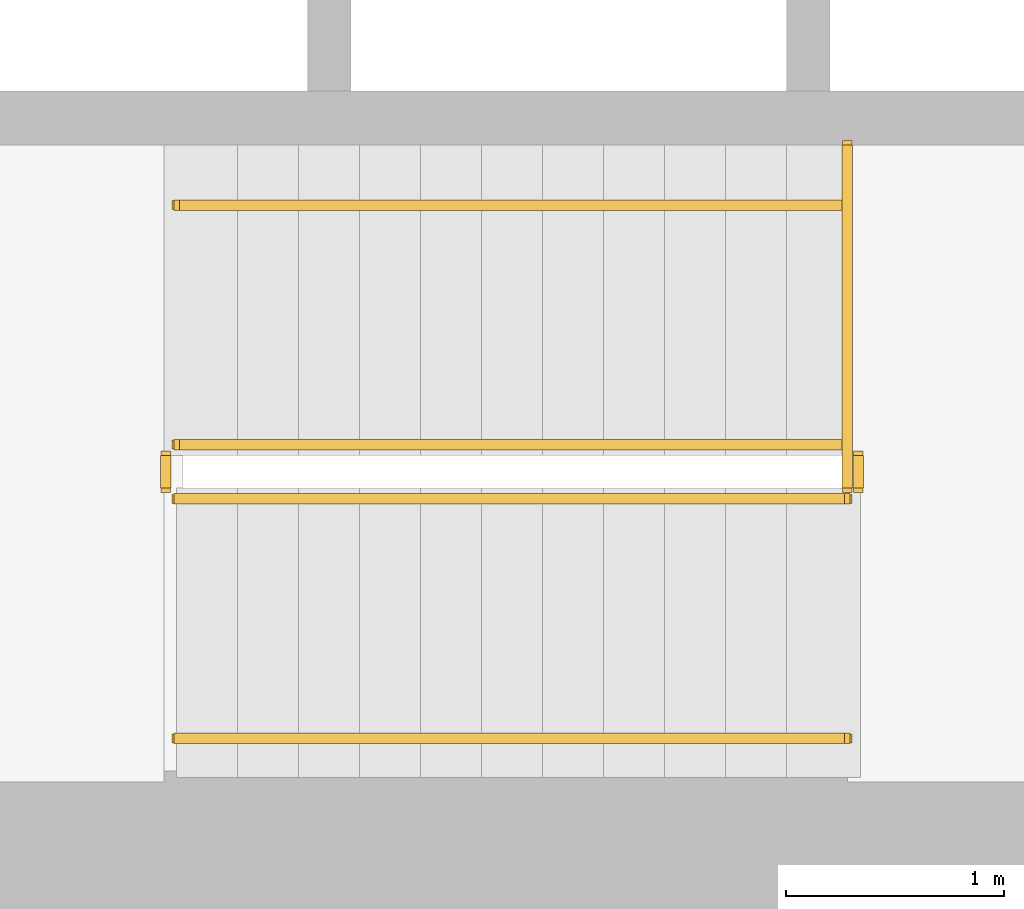
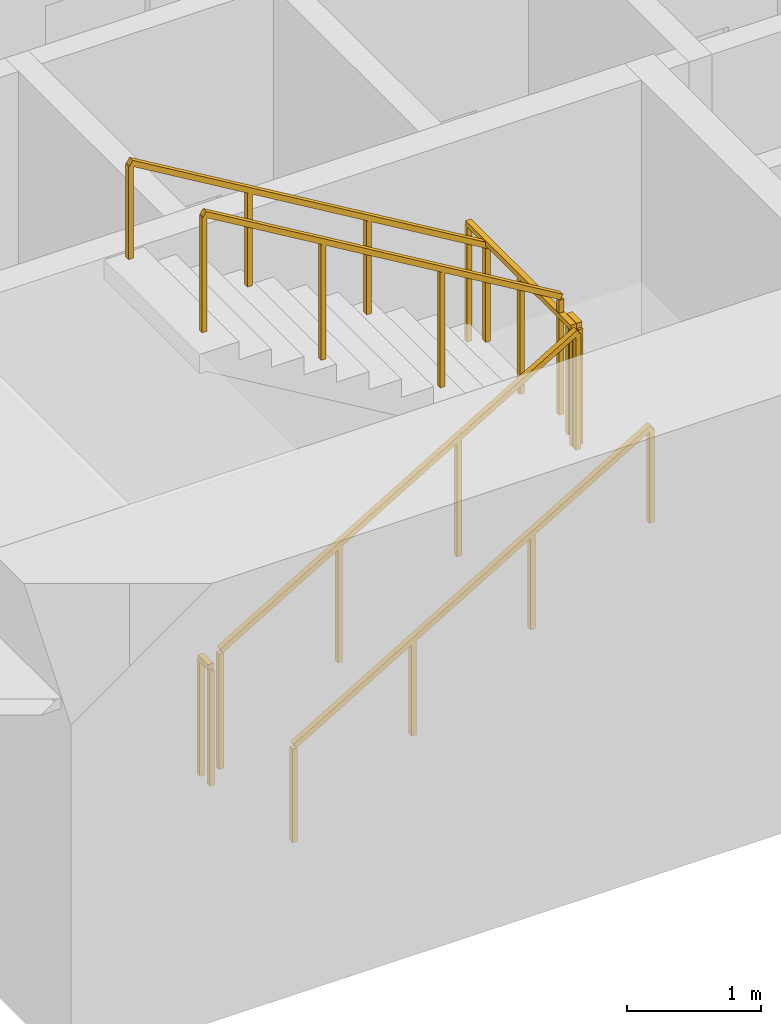
# One storey, part 13 of 16: 7 railings.
"""IFC4 building model written with IfcOpenShell, lengths in metres."""

import ifcopenshell
import ifcopenshell.guid

model = None  # the IFC model being written
_history = None  # IfcOwnerHistory: only IFC2X3 demands one
_inside = {}  # id of a spatial element -> (the spatial element, [elements in it])
_under = {}  # id of a project, library or spatial element -> (it, [spatial elements below it])
_declared = {}  # id of a project -> (the project, [libraries it declares])
_typed = {}  # id of a type object -> (the type object, [elements of that type])
_made_of = {}  # id of a material, layer set ... -> (it, [elements and type objects made of it])


def new_model(schema):
    """Start an empty IFC model of exactly this schema.

    Asked for "IFC4X3", IfcOpenShell would pick the latest addendum, in which some entities
    have other attributes; the version numbers below select the first issue.
    IFC2X3 requires an IfcOwnerHistory on every rooted entity: one is made here for all.
    """
    global model, _history
    if schema == "IFC4X3":
        model = ifcopenshell.file(schema_version=(4, 3, 0, 0))
    else:
        model = ifcopenshell.file(schema=schema)
    _inside.clear()
    _under.clear()
    _declared.clear()
    _typed.clear()
    _made_of.clear()
    _history = None
    if model.schema == "IFC2X3":
        org = make("IfcOrganization", Name="unknown")
        user = make(
            "IfcPersonAndOrganization",
            ThePerson=make("IfcPerson", FamilyName="unknown"),
            TheOrganization=org,
        )
        app = make(
            "IfcApplication",
            ApplicationDeveloper=org,
            Version="unknown",
            ApplicationFullName="unknown",
            ApplicationIdentifier="unknown",
        )
        _history = make(
            "IfcOwnerHistory",
            OwningUser=user,
            OwningApplication=app,
            ChangeAction="ADDED",
            CreationDate=0,
        )
    return model


def make(cls, **values):
    """One entity of the class cls with the attributes given. An attribute that is None is left unset."""
    return model.create_entity(
        cls, **{name: value for name, value in values.items() if value is not None}
    )


def rooted(cls, **values):
    """An entity with a GlobalId (a new one), such as an element, a storey or a relation."""
    return make(cls, GlobalId=ifcopenshell.guid.new(), OwnerHistory=_history, **values)


def si_unit(unit_type, name, prefix=None):
    """IfcSIUnit, for example si_unit("LENGTHUNIT", "METRE", prefix="MILLI")."""
    return make("IfcSIUnit", UnitType=unit_type, Prefix=prefix, Name=name)


def assignment(units):
    """IfcUnitAssignment: the units of a project."""
    return None if units is None else make("IfcUnitAssignment", Units=units)


def point(xyz):
    """IfcCartesianPoint."""
    return None if xyz is None else make("IfcCartesianPoint", Coordinates=xyz)


def direction(xyz):
    """IfcDirection."""
    return None if xyz is None else make("IfcDirection", DirectionRatios=xyz)


def frame(location, z_axis=None, x_axis=None):
    """IfcAxis2Placement3D, a coordinate frame: its origin and axes. An axis left out is left unset."""
    return make(
        "IfcAxis2Placement3D",
        Location=point(location),
        Axis=direction(z_axis),
        RefDirection=direction(x_axis),
    )


def frame_2d(location, x_axis=None):
    """IfcAxis2Placement2D, a coordinate frame in the plane: its origin and x axis."""
    return make(
        "IfcAxis2Placement2D", Location=point(location), RefDirection=direction(x_axis)
    )


def origin():
    """The frame at (0, 0, 0) with its axes left unset."""
    return frame((0.0, 0.0, 0.0))


def origin_2d():
    """The frame at (0, 0) in the plane with its x axis left unset."""
    return frame_2d((0.0, 0.0))


def place(relative_to, where):
    """IfcLocalPlacement: puts the frame where relative to a parent placement (None: the world)."""
    return make(
        "IfcLocalPlacement", PlacementRelTo=relative_to, RelativePlacement=where
    )


def context(
    kind, dimensions, precision=None, world=None, true_north=None, identifier=None
):
    """IfcGeometricRepresentationContext, for example the 3D "Model" context."""
    return make(
        "IfcGeometricRepresentationContext",
        ContextIdentifier=identifier,
        ContextType=kind,
        CoordinateSpaceDimension=dimensions,
        Precision=precision,
        WorldCoordinateSystem=world,
        TrueNorth=true_north,
    )


def subcontext(parent, identifier, kind, view, scale=None):
    """IfcGeometricRepresentationSubContext, for example "Body" below "Model"."""
    return make(
        "IfcGeometricRepresentationSubContext",
        ContextIdentifier=identifier,
        ContextType=kind,
        ParentContext=parent,
        TargetScale=scale,
        TargetView=view,
    )


def project(units=None, contexts=None):
    """IfcProject with its units and contexts."""
    return rooted(
        "IfcProject",
        Name="project",
        RepresentationContexts=contexts,
        UnitsInContext=assignment(units),
    )


def spatial(cls, under=None, at=None, **own):
    """A site, building, storey or space (cls), placed at a placement, below another one or the project."""
    s = rooted(cls, ObjectPlacement=at, **own)
    if under is not None:
        _under.setdefault(under.id(), (under, []))[1].append(s)
    return s


def profile(cls, at=None, kind="AREA", **sizes):
    """A parametric profile (cls). Its sizes go by their IFC names, for example OverallWidth=200.0."""
    return make(cls, ProfileType=kind, Position=at, **sizes)


def rectangle(**sizes):
    """IfcRectangleProfileDef."""
    return profile("IfcRectangleProfileDef", **sizes)


def extrude(swept, where, along, depth):
    """IfcExtrudedAreaSolid: the profile swept, set in the frame where, extruded along a direction by depth."""
    return make(
        "IfcExtrudedAreaSolid",
        SweptArea=swept,
        Position=where,
        ExtrudedDirection=direction(along),
        Depth=depth,
    )


def shape(context_of_items, identifier, shape_type, items):
    """IfcShapeRepresentation: the items that make up one representation, for example the "Body"."""
    return make(
        "IfcShapeRepresentation",
        ContextOfItems=context_of_items,
        RepresentationIdentifier=identifier,
        RepresentationType=shape_type,
        Items=items,
    )


def material(Name=None, Category=None):
    """IfcMaterial."""
    return make("IfcMaterial", Name=Name, Category=Category)


def made_of(thing, what):
    """Note that an element or type object is made of a material, layer set ...; save() writes the relation."""
    if what is not None:
        _made_of.setdefault(what.id(), (what, []))[1].append(thing)
    return thing


def type_object(cls, material=None, **own):
    """A type object (cls), such as IfcWallType, which elements share."""
    return made_of(rooted(cls, **own), material)


def element(
    cls,
    number,
    at=None,
    inside=None,
    cuts=None,
    type_object=None,
    material=None,
    context=None,
    identifier="Body",
    shape_type=None,
    held_by="IfcProductDefinitionShape",
    body=None,
    shapes=None,
    **own,
):
    """One element of the class cls, such as IfcWall. Its Tag is "e" and its number.

    at: its placement. inside: the storey or other place that contains it. cuts: it is an
    opening in that element (IfcRelVoidsElement). A single representation is given by context,
    identifier, shape_type and body (its items); several are given by shapes. held_by: the class
    of the entity that holds the representations. save() writes the other relations.
    """
    e = rooted(cls, Tag="e%d" % number, ObjectPlacement=at, **own)
    if body is not None:
        shapes = [shape(context, identifier, shape_type, body)]
    if shapes is not None:
        e.Representation = make(held_by, Representations=shapes)
    if inside is not None:
        _inside.setdefault(inside.id(), (inside, []))[1].append(e)
    if cuts is not None:
        rooted(
            "IfcRelVoidsElement", RelatingBuildingElement=cuts, RelatedOpeningElement=e
        )
    if type_object is not None:
        _typed.setdefault(type_object.id(), (type_object, []))[1].append(e)
    return made_of(e, material)


def aggregate(whole, parts):
    """IfcRelAggregates: a whole, such as a stair, and the parts it consists of."""
    return rooted("IfcRelAggregates", RelatingObject=whole, RelatedObjects=parts)


def save(model, path):
    """Write the relations noted so far, then the file.

    IfcRelAggregates (storeys below a building ...), IfcRelContainedInSpatialStructure (elements
    in a storey), IfcRelDefinesByType, IfcRelAssociatesMaterial and IfcRelDeclares: one each for
    every whole, place, type object, material and project.
    """
    for whole, parts in _under.values():
        aggregate(whole, parts)
    for where, things in _inside.values():
        rooted(
            "IfcRelContainedInSpatialStructure",
            RelatedElements=things,
            RelatingStructure=where,
        )
    for kind, things in _typed.values():
        rooted("IfcRelDefinesByType", RelatedObjects=things, RelatingType=kind)
    for what, things in _made_of.values():
        rooted("IfcRelAssociatesMaterial", RelatedObjects=things, RelatingMaterial=what)
    for by, libraries in _declared.values():
        rooted("IfcRelDeclares", RelatingContext=by, RelatedDefinitions=libraries)
    model.write(path)


model = new_model("IFC4")

# Units and contexts
model_context = context("Model", 3, precision=1e-05, world=origin(), true_north=direction((0.0, 1.0)))
body_context = subcontext(model_context, "Body", "Model", "MODEL_VIEW")
ifc_project = project(units=[si_unit("LENGTHUNIT", "METRE"), si_unit("AREAUNIT", "SQUARE_METRE"), si_unit("VOLUMEUNIT", "CUBIC_METRE"), si_unit("PLANEANGLEUNIT", "RADIAN"), si_unit("MASSUNIT", "GRAM", prefix="KILO")], contexts=[model_context])

# Site, building, storey
site_placement = place(None, origin())
site = spatial("IfcSite", under=ifc_project, at=site_placement, CompositionType="ELEMENT")
building_placement = place(site_placement, origin())
building = spatial("IfcBuilding", under=site, at=building_placement, Name="Sennacour Bend Tower", CompositionType="ELEMENT")
storey_placement = place(building_placement, frame((0.0, 0.0, 45.0)))
storey = spatial("IfcBuildingStorey", under=building, at=storey_placement, Name="L09", CompositionType="ELEMENT", Elevation=45.0)

# Railings
ifc_material = material(Name="Stainless steel", Category="steel")
railing_type_1 = type_object("IfcRailingType", Name="RL-GUARD-1100", PredefinedType="GUARDRAIL", material=ifc_material)
railing_1_placement = place(storey_placement, frame((56.699951171875, 2.449951171875, 0.166748046875)))
element("IfcRailing", 1, at=railing_1_placement, inside=storey, type_object=railing_type_1, Name="L09 SA1 stair guard 1", PredefinedType="GUARDRAIL", context=body_context, shape_type="SweptSolid", body=[
    extrude(rectangle(XDim=0.048095703125, YDim=0.048095703125, at=origin_2d()), frame((0.0, 0.0, 1.076171875), z_axis=(0.859308565015, 0.0, 0.511457515432), x_axis=(0.0, 1.0, 0.0)), (0.0, 0.0, 1.0), 3.58447265625),
    extrude(rectangle(XDim=0.0419921875, YDim=0.0419921875, at=origin_2d()), origin(), (0.0, 0.0, 1.0), 1.052001953125),
    extrude(rectangle(XDim=0.0419921875, YDim=0.0419921875, at=origin_2d()), frame((1.026611328125, 0.0, 0.611083984375)), (0.0, 0.0, 1.0), 1.052001953125),
    extrude(rectangle(XDim=0.0419921875, YDim=0.0419921875, at=origin_2d()), frame((2.053466796875, 0.0, 1.22216796875)), (0.0, 0.0, 1.0), 1.052001953125),
    extrude(rectangle(XDim=0.0419921875, YDim=0.0419921875, at=origin_2d()), frame((3.080078125, 0.0, 1.833251953125)), (0.0, 0.0, 1.0), 1.052001953125),
])
railing_2_placement = place(storey_placement, frame((59.830078125, 2.5, 2.0)))
element("IfcRailing", 2, at=railing_2_placement, inside=storey, type_object=railing_type_1, Name="L09 SA1 stair guard 2", PredefinedType="GUARDRAIL", context=body_context, shape_type="SweptSolid", body=[
    extrude(rectangle(XDim=0.048095703125, YDim=0.048095703125, at=origin_2d()), frame((0.0, 0.0, 1.076171875), z_axis=(0.0, 1.0, 0.0), x_axis=(-1.0, 0.0, 0.0)), (0.0, 0.0, 1.0), 0.14990234375),
    extrude(rectangle(XDim=0.0419921875, YDim=0.0419921875, at=origin_2d()), origin(), (0.0, 0.0, 1.0), 1.052001953125),
    extrude(rectangle(XDim=0.0419921875, YDim=0.0419921875, at=origin_2d()), frame((0.0, 0.14990234375, 0.0)), (0.0, 0.0, 1.0), 1.052001953125),
])
railing_3_placement = place(storey_placement, frame((59.780029296875, 2.699951171875, 2.166748046875)))
element("IfcRailing", 3, at=railing_3_placement, inside=storey, type_object=railing_type_1, Name="L09 SA1 stair guard 4", PredefinedType="GUARDRAIL", context=body_context, shape_type="SweptSolid", body=[
    extrude(rectangle(XDim=0.048095703125, YDim=0.048095703125, at=origin_2d()), frame((0.0, 0.0, 1.076171875), z_axis=(-0.859308565015, 0.0, 0.511457515432), x_axis=(0.0, -1.0, 0.0)), (0.0, 0.0, 1.0), 3.58447265625),
    extrude(rectangle(XDim=0.0419921875, YDim=0.0419921875, at=origin_2d()), origin(), (0.0, 0.0, 1.0), 1.052001953125),
    extrude(rectangle(XDim=0.0419921875, YDim=0.0419921875, at=origin_2d()), frame((-1.026611328125, 0.0, 0.611083984375)), (0.0, 0.0, 1.0), 1.052001953125),
    extrude(rectangle(XDim=0.0419921875, YDim=0.0419921875, at=origin_2d()), frame((-2.053466796875, 0.0, 1.22216796875)), (0.0, 0.0, 1.0), 1.052001953125),
    extrude(rectangle(XDim=0.0419921875, YDim=0.0419921875, at=origin_2d()), frame((-3.080078125, 0.0, 1.833251953125)), (0.0, 0.0, 1.0), 1.052001953125),
])
railing_4_placement = place(storey_placement, frame((56.64990234375, 2.5, 0.0)))
element("IfcRailing", 4, at=railing_4_placement, inside=storey, type_object=railing_type_1, Name="L09 SA1 stair guard 5", PredefinedType="GUARDRAIL", context=body_context, shape_type="SweptSolid", body=[
    extrude(rectangle(XDim=0.048095703125, YDim=0.048095703125, at=origin_2d()), frame((0.0, 0.0, 1.076171875), z_axis=(0.0, 1.0, 0.0), x_axis=(-1.0, 0.0, 0.0)), (0.0, 0.0, 1.0), 0.14990234375),
    extrude(rectangle(XDim=0.0419921875, YDim=0.0419921875, at=origin_2d()), origin(), (0.0, 0.0, 1.0), 1.052001953125),
    extrude(rectangle(XDim=0.0419921875, YDim=0.0419921875, at=origin_2d()), frame((0.0, 0.14990234375, 0.0)), (0.0, 0.0, 1.0), 1.052001953125),
])
railing_5_placement = place(storey_placement, frame((59.780029296875, 2.5, 2.0)))
element("IfcRailing", 5, at=railing_5_placement, inside=storey, type_object=railing_type_1, Name="L09 SA1 landing edge guard 24", PredefinedType="GUARDRAIL", context=body_context, shape_type="SweptSolid", body=[
    extrude(rectangle(XDim=0.048095703125, YDim=0.048095703125, at=origin_2d()), frame((0.0, 0.0, 1.076171875), z_axis=(0.0, 1.0, 0.0), x_axis=(-1.0, 0.0, 0.0)), (0.0, 0.0, 1.0), 1.574951171875),
    extrude(rectangle(XDim=0.0419921875, YDim=0.0419921875, at=origin_2d()), origin(), (0.0, 0.0, 1.0), 1.052001953125),
    extrude(rectangle(XDim=0.0419921875, YDim=0.0419921875, at=origin_2d()), frame((0.0, 0.78759765625, 0.0)), (0.0, 0.0, 1.0), 1.052001953125),
    extrude(rectangle(XDim=0.0419921875, YDim=0.0419921875, at=origin_2d()), frame((0.0, 1.574951171875, 0.0)), (0.0, 0.0, 1.0), 1.052001953125),
])
railing_type_2 = type_object("IfcRailingType", Name="RL-HANDRAIL-900", PredefinedType="HANDRAIL", material=ifc_material)
railing_6_placement = place(storey_placement, frame((56.699951171875, 1.35009765625, 0.166748046875)))
element("IfcRailing", 6, at=railing_6_placement, inside=storey, type_object=railing_type_2, Name="L09 SA1 stair handrail 1", PredefinedType="HANDRAIL", context=body_context, shape_type="SweptSolid", body=[
    extrude(rectangle(XDim=0.048095703125, YDim=0.048095703125, at=origin_2d()), frame((0.0, 0.0, 0.8759765625), z_axis=(0.859308565015, 0.0, 0.511457515432), x_axis=(0.0, 1.0, 0.0)), (0.0, 0.0, 1.0), 3.58447265625),
    extrude(rectangle(XDim=0.0419921875, YDim=0.0419921875, at=origin_2d()), origin(), (0.0, 0.0, 1.0), 0.851806640625),
    extrude(rectangle(XDim=0.0419921875, YDim=0.0419921875, at=origin_2d()), frame((1.026611328125, 0.0, 0.611083984375)), (0.0, 0.0, 1.0), 0.851806640625),
    extrude(rectangle(XDim=0.0419921875, YDim=0.0419921875, at=origin_2d()), frame((2.053466796875, 0.0, 1.22216796875)), (0.0, 0.0, 1.0), 0.851806640625),
    extrude(rectangle(XDim=0.0419921875, YDim=0.0419921875, at=origin_2d()), frame((3.080078125, 0.0, 1.833251953125)), (0.0, 0.0, 1.0), 0.851806640625),
])
railing_7_placement = place(storey_placement, frame((59.780029296875, 3.800048828125, 2.166748046875)))
element("IfcRailing", 7, at=railing_7_placement, inside=storey, type_object=railing_type_2, Name="L09 SA1 stair handrail 2", PredefinedType="HANDRAIL", context=body_context, shape_type="SweptSolid", body=[
    extrude(rectangle(XDim=0.048095703125, YDim=0.048095703125, at=origin_2d()), frame((0.0, 0.0, 0.8759765625), z_axis=(-0.859308565015, 0.0, 0.511457515432), x_axis=(0.0, -1.0, 0.0)), (0.0, 0.0, 1.0), 3.58447265625),
    extrude(rectangle(XDim=0.0419921875, YDim=0.0419921875, at=origin_2d()), origin(), (0.0, 0.0, 1.0), 0.851806640625),
    extrude(rectangle(XDim=0.0419921875, YDim=0.0419921875, at=origin_2d()), frame((-1.026611328125, 0.0, 0.611083984375)), (0.0, 0.0, 1.0), 0.851806640625),
    extrude(rectangle(XDim=0.0419921875, YDim=0.0419921875, at=origin_2d()), frame((-2.053466796875, 0.0, 1.22216796875)), (0.0, 0.0, 1.0), 0.851806640625),
    extrude(rectangle(XDim=0.0419921875, YDim=0.0419921875, at=origin_2d()), frame((-3.080078125, 0.0, 1.833251953125)), (0.0, 0.0, 1.0), 0.851806640625),
])

save(model, "model.ifc")
